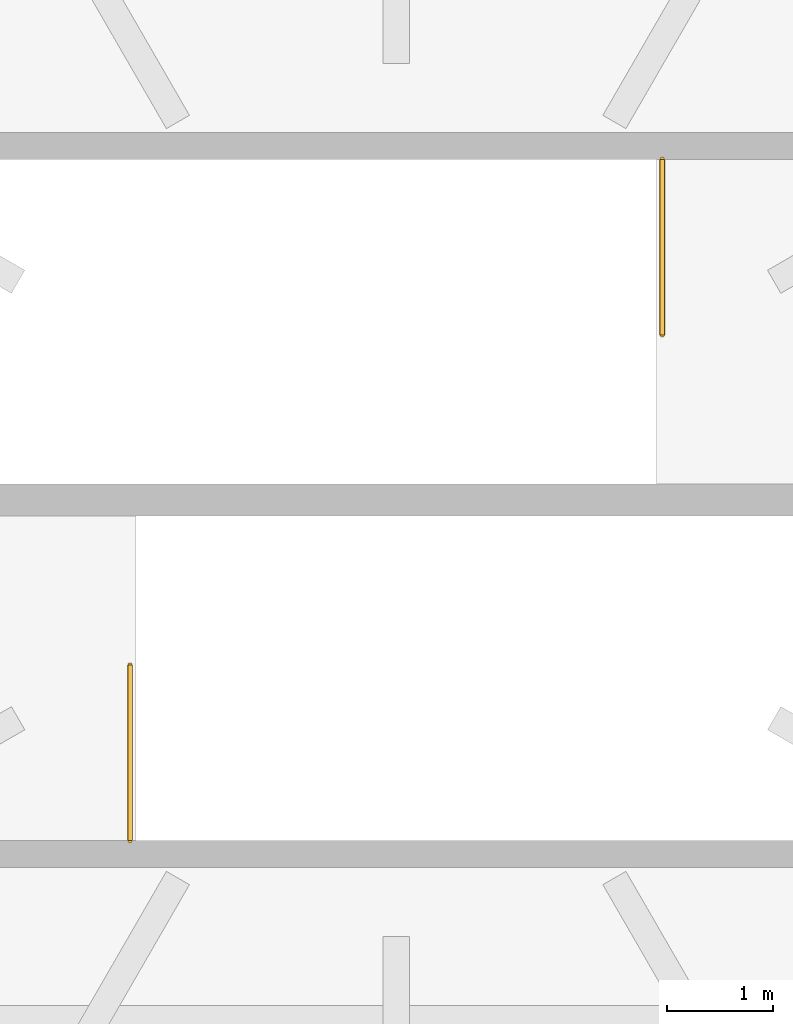
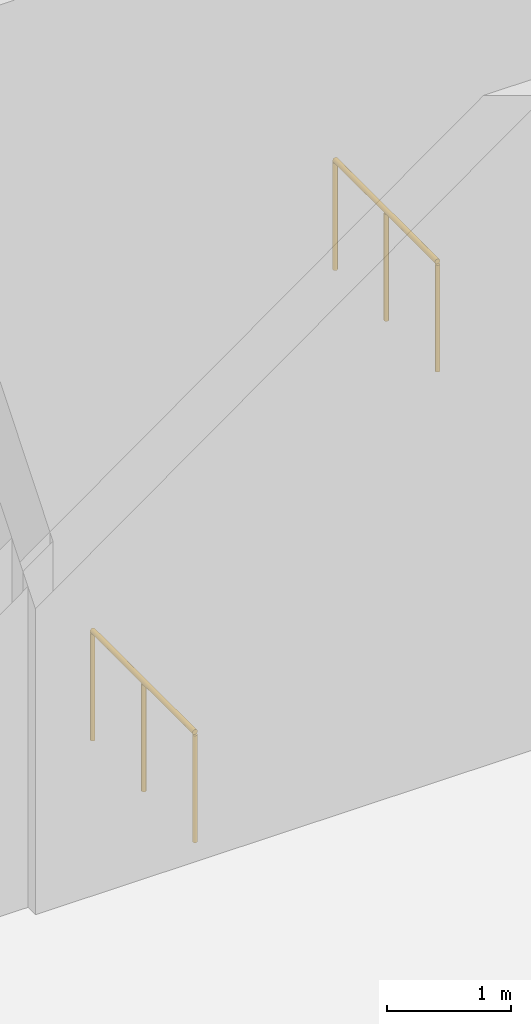
# One storey, part 7 of 7: 2 railings.
"""IFC4 building model written with IfcOpenShell, lengths in metres."""

from ifc_helpers import new_model, si_unit, direction, frame, origin, origin_2d, place, context, subcontext, project, spatial, circle, extrude, material, type_object, element, save


model = new_model("IFC4")

# Units and contexts
model_context = context("Model", 3, precision=1e-05, world=origin(), true_north=direction((0.0, 1.0)))
body_context = subcontext(model_context, "Body", "Model", "MODEL_VIEW")
ifc_project = project(units=[si_unit("LENGTHUNIT", "METRE"), si_unit("AREAUNIT", "SQUARE_METRE"), si_unit("VOLUMEUNIT", "CUBIC_METRE"), si_unit("PLANEANGLEUNIT", "RADIAN"), si_unit("MASSUNIT", "GRAM", prefix="KILO")], contexts=[model_context])

# Site, building, storey
site_placement = place(None, origin())
site = spatial("IfcSite", under=ifc_project, at=site_placement, CompositionType="ELEMENT")
building_placement = place(site_placement, origin())
building = spatial("IfcBuilding", under=site, at=building_placement, Name="Solvirekh Grand Hotel", CompositionType="ELEMENT")
storey_placement = place(building_placement, frame((0.0, 0.0, 333.800048828125)))
storey = spatial("IfcBuildingStorey", under=building, at=storey_placement, Name="L83", CompositionType="ELEMENT", Elevation=333.800048828125)

# Railings
ifc_material = material(Name="Steel S355", Category="steel")
railing_type = type_object("IfcRailingType", Name="Guard_Stair_1100", PredefinedType="GUARDRAIL", material=ifc_material)
railing_1_placement = place(storey_placement, frame((-2.5, -3.199951171875, 0.0)))
element("IfcRailing", 1, at=railing_1_placement, inside=storey, type_object=railing_type, Name="L83 ST-1 top well guard 1", PredefinedType="GUARDRAIL", context=body_context, shape_type="SweptSolid", body=[
    extrude(circle(Radius=0.02392578125, at=origin_2d()), frame((0.0, 0.0, 1.076171875), z_axis=(0.0, 1.0, 0.0), x_axis=(-1.0, 0.0, 0.0)), (0.0, 0.0, 1.0), 1.64990234375),
    extrude(circle(Radius=0.02099609375, at=origin_2d()), origin(), (0.0, 0.0, 1.0), 1.052001953125),
    extrude(circle(Radius=0.02099609375, at=origin_2d()), frame((0.0, 0.824951171875, 0.0)), (0.0, 0.0, 1.0), 1.052001953125),
    extrude(circle(Radius=0.02099609375, at=origin_2d()), frame((0.0, 1.64990234375, 0.0)), (0.0, 0.0, 1.0), 1.052001953125),
])
railing_2_placement = place(storey_placement, frame((2.5, 3.199951171875, 0.0)))
element("IfcRailing", 2, at=railing_2_placement, inside=storey, type_object=railing_type, Name="L83 ST-2 top well guard 1", PredefinedType="GUARDRAIL", context=body_context, shape_type="SweptSolid", body=[
    extrude(circle(Radius=0.02392578125, at=origin_2d()), frame((0.0, 0.0, 1.076171875), z_axis=(0.0, -1.0, 0.0), x_axis=(1.0, 0.0, 0.0)), (0.0, 0.0, 1.0), 1.64990234375),
    extrude(circle(Radius=0.02099609375, at=origin_2d()), origin(), (0.0, 0.0, 1.0), 1.052001953125),
    extrude(circle(Radius=0.02099609375, at=origin_2d()), frame((0.0, -0.824951171875, 0.0)), (0.0, 0.0, 1.0), 1.052001953125),
    extrude(circle(Radius=0.02099609375, at=origin_2d()), frame((0.0, -1.64990234375, 0.0)), (0.0, 0.0, 1.0), 1.052001953125),
])

save(model, "model.ifc")
